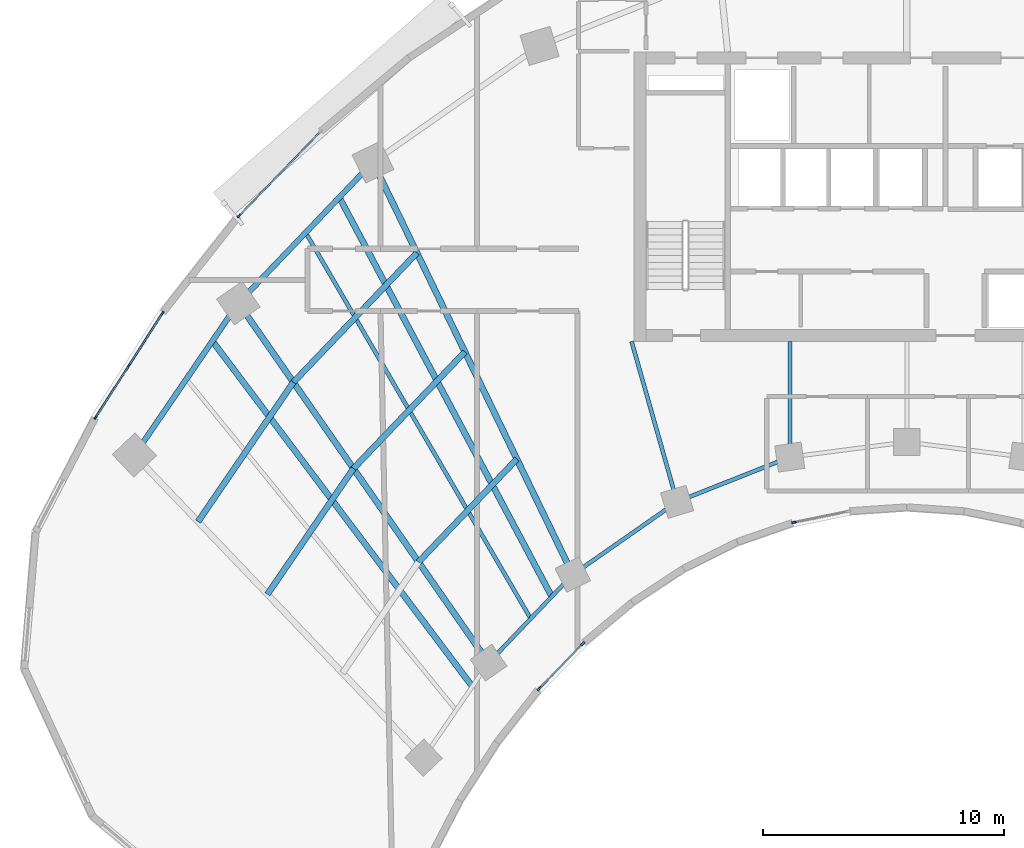
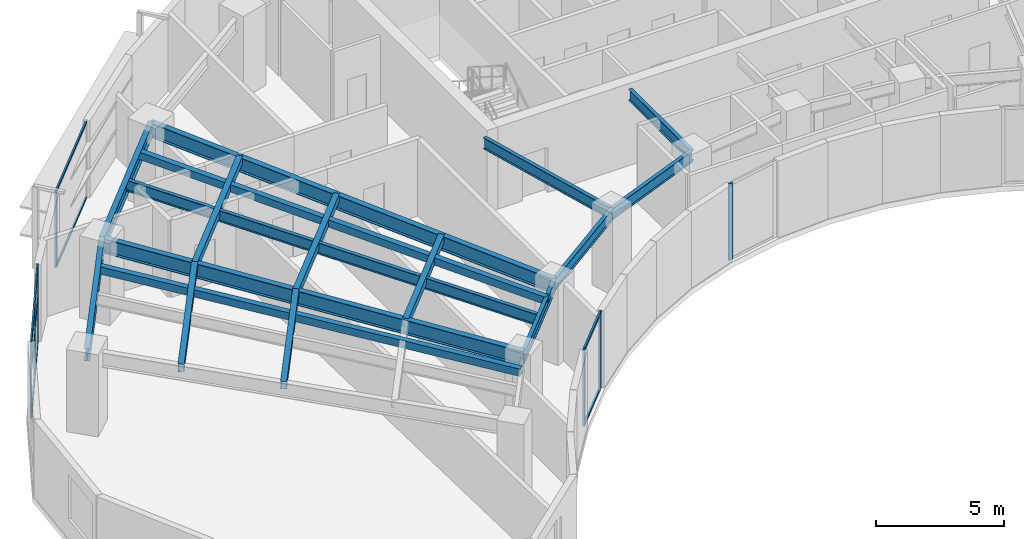
# One storey, part 2 of 14: 17 beams, 17 members, 4 elements without a shape of their own.
"""IFC4 building model written with IfcOpenShell, lengths in metres."""

from ifc_helpers import new_model, si_unit, direction, frame, origin, origin_2d, place, context, subcontext, project, spatial, rectangle, hollow_rectangle, i_section, extrude, source, transform, mapped, material, layer, layer_set, material_profile, profile_set, type_object, type_shapes, element, aggregate, save


model = new_model("IFC4")

# Units and contexts
model_context = context("Model", 3, precision=1e-05, world=origin(), true_north=direction((0.0, 1.0)))
body_context = subcontext(model_context, "Body", "Model", "MODEL_VIEW")
ifc_project = project(units=[si_unit("LENGTHUNIT", "METRE"), si_unit("AREAUNIT", "SQUARE_METRE"), si_unit("VOLUMEUNIT", "CUBIC_METRE"), si_unit("PLANEANGLEUNIT", "RADIAN"), si_unit("MASSUNIT", "GRAM", prefix="KILO")], contexts=[model_context])

# Site, building, storey
site_placement = place(None, origin())
site = spatial("IfcSite", under=ifc_project, at=site_placement, CompositionType="ELEMENT")
building_placement = place(site_placement, origin())
building = spatial("IfcBuilding", under=site, at=building_placement, Name="Breltana Convention Tower", CompositionType="ELEMENT")
storey_placement = place(building_placement, frame((0.0, 0.0, 138.89990234375)))
storey = spatial("IfcBuildingStorey", under=building, at=storey_placement, Name="L33", CompositionType="ELEMENT", Elevation=138.89990234375)

# Beams
ifc_material_1 = material(Name="Steel ASTM A992 Grade 50", Category="steel")
ifc_material_profile_1 = material_profile(ifc_material_1, i_section(OverallWidth=0.25390625, OverallDepth=0.68798828125, WebThickness=0.01318359375, FlangeThickness=0.02099609375, at=origin_2d()), Name="W27X102")
ifc_profile_set_1 = profile_set([ifc_material_profile_1], Name="Steel ASTM A992 Grade 50")
beam_type_1 = type_object("IfcBeamType", Name="BM-RG-W27X102", PredefinedType="USERDEFINED", material=ifc_profile_set_1)
shared_shape_1 = source(origin(), body_context, "Body", "SweptSolid", [
    extrude(i_section(OverallWidth=0.25390625, OverallDepth=0.68798828125, WebThickness=0.01318359375, FlangeThickness=0.02099609375, at=origin_2d()), origin(), (0.0, 0.0, 1.0), 18.1484375),
])
beam_1_placement = place(storey_placement, frame((30.67724609375, 46.892333984375, 3.30615234375), z_axis=(-0.571207556098, 0.820805657788, 0.0), x_axis=(-0.820805657788, -0.571207556098, 0.0)))
element("IfcBeam", 1, at=beam_1_placement, inside=storey, type_object=beam_type_1, Name="L33 Radial Floor Girder R02", ObjectType="GIRDER", PredefinedType="USERDEFINED", context=body_context, shape_type="MappedRepresentation", body=[
    mapped(shared_shape_1, transform((0.0, 0.0, 0.0), scale=1.0)),
])
shared_shape_2 = source(origin(), body_context, "Body", "SweptSolid", [
    extrude(i_section(OverallWidth=0.25390625, OverallDepth=0.68798828125, WebThickness=0.01318359375, FlangeThickness=0.02099609375, at=origin_2d()), origin(), (0.0, 0.0, 1.0), 18.982421875),
])
beam_2_placement = place(storey_placement, frame((34.166259765625, 50.544921875, 3.30615234375), z_axis=(-0.436118560343, 0.89988921614, 0.0), x_axis=(-0.89988921614, -0.436118560343, 0.0)))
element("IfcBeam", 2, at=beam_2_placement, inside=storey, type_object=beam_type_1, Name="L33 Radial Floor Girder R03", ObjectType="GIRDER", PredefinedType="USERDEFINED", context=body_context, shape_type="MappedRepresentation", body=[
    mapped(shared_shape_2, transform((0.0, 0.0, 0.0), scale=1.0)),
])
ifc_material_profile_2 = material_profile(ifc_material_1, i_section(OverallWidth=0.166015625, OverallDepth=0.534912109375, WebThickness=0.01025390625, FlangeThickness=0.0166015625, at=origin_2d()), Name="W21X57")
ifc_profile_set_2 = profile_set([ifc_material_profile_2], Name="Steel ASTM A992 Grade 50")
beam_type_2 = type_object("IfcBeamType", Name="BM-BM-W21X57", PredefinedType="BEAM", material=ifc_profile_set_2)
shared_shape_3 = source(origin(), body_context, "Body", "SweptSolid", [
    extrude(i_section(OverallWidth=0.166015625, OverallDepth=0.534912109375, WebThickness=0.01025390625, FlangeThickness=0.0166015625, at=origin_2d()), origin(), (0.0, 0.0, 1.0), 6.904541015625),
])
type_shapes(beam_type_2, [shared_shape_3])
beam_3_placement = place(storey_placement, frame((36.60009765625, 60.199951171875, 3.382568359375), z_axis=(0.273006781054, -0.962012108811, 0.0), x_axis=(0.962012108811, 0.273006781054, 0.0)))
element("IfcBeam", 3, at=beam_3_placement, inside=storey, type_object=beam_type_2, Name="L33 South Core Tie Girder R04", PredefinedType="BEAM", context=body_context, shape_type="MappedRepresentation", body=[
    mapped(shared_shape_3, transform((0.0, 0.0, 0.0), scale=1.0)),
])
shared_shape_4 = source(origin(), body_context, "Body", "SweptSolid", [
    extrude(i_section(OverallWidth=0.166015625, OverallDepth=0.534912109375, WebThickness=0.01025390625, FlangeThickness=0.0166015625, at=origin_2d()), origin(), (0.0, 0.0, 1.0), 4.789306640625),
])
beam_4_placement = place(storey_placement, frame((43.153564453125, 60.199951171875, 3.382568359375), z_axis=(0.0, -1.0, 0.0), x_axis=(1.0, 0.0, 0.0)))
element("IfcBeam", 4, at=beam_4_placement, inside=storey, type_object=beam_type_2, Name="L33 South Core Tie Girder R05", PredefinedType="BEAM", context=body_context, shape_type="MappedRepresentation", body=[
    mapped(shared_shape_4, transform((0.0, 0.0, 0.0), scale=1.0)),
])
ifc_material_profile_3 = material_profile(ifc_material_1, i_section(OverallWidth=0.22802734375, OverallDepth=0.60791015625, WebThickness=0.01123046875, FlangeThickness=0.017333984375, at=origin_2d()), Name="W24X76")
ifc_profile_set_3 = profile_set([ifc_material_profile_3], Name="Steel ASTM A992 Grade 50")
beam_type_3 = type_object("IfcBeamType", Name="BM-SP-W24X76", PredefinedType="SPANDREL", material=ifc_profile_set_3)
shared_shape_5 = source(origin(), body_context, "Body", "SweptSolid", [
    extrude(i_section(OverallWidth=0.22802734375, OverallDepth=0.60791015625, WebThickness=0.01123046875, FlangeThickness=0.017333984375, at=origin_2d()), origin(), (0.0, 0.0, 1.0), 7.625),
])
type_shapes(beam_type_3, [shared_shape_5])
beam_5_placement = place(storey_placement, frame((16.0068359375, 55.494384765625, 3.34619140625), z_axis=(0.564452031902, 0.825465870694, 0.0), x_axis=(-0.825465870694, 0.564452031902, 0.0)))
element("IfcBeam", 5, at=beam_5_placement, inside=storey, type_object=beam_type_3, Name="L33 Outer Spandrel Beam 01", PredefinedType="SPANDREL", context=body_context, shape_type="MappedRepresentation", body=[
    mapped(shared_shape_5, transform((0.0, 0.0, 0.0), scale=1.0)),
])
shared_shape_6 = source(origin(), body_context, "Body", "SweptSolid", [
    extrude(i_section(OverallWidth=0.166015625, OverallDepth=0.534912109375, WebThickness=0.01025390625, FlangeThickness=0.0166015625, at=origin_2d()), origin(), (0.0, 0.0, 1.0), 5.05126953125),
])
beam_6_placement = place(storey_placement, frame((30.67724609375, 46.892333984375, 3.382568359375), z_axis=(0.690729753845, 0.7231129975, 0.0), x_axis=(-0.7231129975, 0.690729753845, 0.0)))
element("IfcBeam", 6, at=beam_6_placement, inside=storey, type_object=beam_type_2, Name="L33 Inner Ring Beam 02", PredefinedType="BEAM", context=body_context, shape_type="MappedRepresentation", body=[
    mapped(shared_shape_6, transform((0.0, 0.0, 0.0), scale=1.0)),
])
shared_shape_7 = source(origin(), body_context, "Body", "SweptSolid", [
    extrude(i_section(OverallWidth=0.22802734375, OverallDepth=0.60791015625, WebThickness=0.01123046875, FlangeThickness=0.017333984375, at=origin_2d()), origin(), (0.0, 0.0, 1.0), 8.073974609375),
])
beam_7_placement = place(storey_placement, frame((20.310791015625, 61.78857421875, 3.34619140625), z_axis=(0.69072885448, 0.723113856588, 0.0), x_axis=(-0.723113856588, 0.69072885448, 0.0)))
element("IfcBeam", 7, at=beam_7_placement, inside=storey, type_object=beam_type_3, Name="L33 Outer Spandrel Beam 02", PredefinedType="SPANDREL", context=body_context, shape_type="MappedRepresentation", body=[
    mapped(shared_shape_7, transform((0.0, 0.0, 0.0), scale=1.0)),
])
shared_shape_8 = source(origin(), body_context, "Body", "SweptSolid", [
    extrude(i_section(OverallWidth=0.166015625, OverallDepth=0.534912109375, WebThickness=0.01025390625, FlangeThickness=0.0166015625, at=origin_2d()), origin(), (0.0, 0.0, 1.0), 5.265869140625),
])
beam_8_placement = place(storey_placement, frame((34.166259765625, 50.544921875, 3.382568359375), z_axis=(0.820167429517, 0.572123577176, 0.0), x_axis=(-0.572123577176, 0.820167429517, 0.0)))
element("IfcBeam", 8, at=beam_8_placement, inside=storey, type_object=beam_type_2, Name="L33 Inner Ring Beam 03", PredefinedType="BEAM", context=body_context, shape_type="MappedRepresentation", body=[
    mapped(shared_shape_8, transform((0.0, 0.0, 0.0), scale=1.0)),
])
shared_shape_9 = source(origin(), body_context, "Body", "SweptSolid", [
    extrude(i_section(OverallWidth=0.166015625, OverallDepth=0.534912109375, WebThickness=0.01025390625, FlangeThickness=0.0166015625, at=origin_2d()), origin(), (0.0, 0.0, 1.0), 5.022705078125),
])
beam_9_placement = place(storey_placement, frame((38.485107421875, 53.5576171875, 3.382568359375), z_axis=(0.929458966248, 0.368925507469, 0.0), x_axis=(-0.368925507469, 0.929458966248, 0.0)))
element("IfcBeam", 9, at=beam_9_placement, inside=storey, type_object=beam_type_2, Name="L33 Inner Ring Beam 04", PredefinedType="BEAM", context=body_context, shape_type="MappedRepresentation", body=[
    mapped(shared_shape_9, transform((0.0, 0.0, 0.0), scale=1.0)),
])
ifc_material_profile_4 = material_profile(ifc_material_1, hollow_rectangle(XDim=0.25, YDim=0.35009765625, WallThickness=0.011962890625, at=origin_2d()), Name="RHS350X250X12")
ifc_profile_set_4 = profile_set([ifc_material_profile_4], Name="Steel ASTM A992 Grade 50")
beam_type_4 = type_object("IfcBeamType", Name="BM-JSG-12", PredefinedType="JOIST", material=ifc_profile_set_4)
shared_shape_10 = source(origin(), body_context, "Body", "SweptSolid", [
    extrude(hollow_rectangle(XDim=0.25, YDim=0.35009765625, WallThickness=0.011962890625, at=origin_2d()), origin(), (0.0, 0.0, 1.0), 6.311767578125),
])
beam_10_placement = place(storey_placement, frame((21.5166015625, 49.72607421875, 3.47509765625), z_axis=(0.564453712577, 0.825464721449, 0.0), x_axis=(-0.825464721449, 0.564453712577, 0.0)))
element("IfcBeam", 10, at=beam_10_placement, inside=storey, type_object=beam_type_4, Name="L33 Composite Floor Joist 01.2", PredefinedType="JOIST", context=body_context, shape_type="MappedRepresentation", body=[
    mapped(shared_shape_10, transform((0.0, 0.0, 0.0), scale=1.0)),
])
shared_shape_11 = source(origin(), body_context, "Body", "SweptSolid", [
    extrude(hollow_rectangle(XDim=0.25, YDim=0.35009765625, WallThickness=0.011962890625, at=origin_2d()), origin(), (0.0, 0.0, 1.0), 6.997314453125),
])
beam_11_placement = place(storey_placement, frame((18.641845703125, 52.735595703125, 3.47509765625), z_axis=(0.564468756361, 0.825454434292, 0.0), x_axis=(-0.825454434292, 0.564468756361, 0.0)))
element("IfcBeam", 11, at=beam_11_placement, inside=storey, type_object=beam_type_4, Name="L33 Composite Floor Joist 01.3", PredefinedType="JOIST", context=body_context, shape_type="MappedRepresentation", body=[
    mapped(shared_shape_11, transform((0.0, 0.0, 0.0), scale=1.0)),
])
shared_shape_12 = source(origin(), body_context, "Body", "SweptSolid", [
    extrude(hollow_rectangle(XDim=0.25, YDim=0.35009765625, WallThickness=0.011962890625, at=origin_2d()), origin(), (0.0, 0.0, 1.0), 17.9072265625),
])
beam_12_placement = place(storey_placement, frame((30.00390625, 45.907958984375, 3.47509765625), z_axis=(-0.601382105028, 0.798961553363, 0.0), x_axis=(-0.798961553363, -0.601382105028, 0.0)))
element("IfcBeam", 12, at=beam_12_placement, inside=storey, type_object=beam_type_4, Name="L33 Quarter-Bay Radial Trimmer 01", PredefinedType="JOIST", context=body_context, shape_type="MappedRepresentation", body=[
    mapped(shared_shape_12, transform((0.0, 0.0, 0.0), scale=1.0)),
])
shared_shape_13 = source(origin(), body_context, "Body", "SweptSolid", [
    extrude(hollow_rectangle(XDim=0.25, YDim=0.35009765625, WallThickness=0.011962890625, at=origin_2d()), origin(), (0.0, 0.0, 1.0), 5.8974609375),
])
beam_13_placement = place(storey_placement, frame((27.774658203125, 51.063232421875, 3.47509765625), z_axis=(0.690713978666, 0.723128065888, 0.0), x_axis=(-0.723128065888, 0.690713978666, 0.0)))
element("IfcBeam", 13, at=beam_13_placement, inside=storey, type_object=beam_type_4, Name="L33 Composite Floor Joist 02.1", PredefinedType="JOIST", context=body_context, shape_type="MappedRepresentation", body=[
    mapped(shared_shape_13, transform((0.0, 0.0, 0.0), scale=1.0)),
])
shared_shape_14 = source(origin(), body_context, "Body", "SweptSolid", [
    extrude(hollow_rectangle(XDim=0.25, YDim=0.35009765625, WallThickness=0.011962890625, at=origin_2d()), origin(), (0.0, 0.0, 1.0), 6.68359375),
])
beam_14_placement = place(storey_placement, frame((25.079345703125, 54.936279296875, 3.47509765625), z_axis=(0.690720705885, 0.723121640156, 0.0), x_axis=(-0.723121640156, 0.690720705885, 0.0)))
element("IfcBeam", 14, at=beam_14_placement, inside=storey, type_object=beam_type_4, Name="L33 Composite Floor Joist 02.2", PredefinedType="JOIST", context=body_context, shape_type="MappedRepresentation", body=[
    mapped(shared_shape_14, transform((0.0, 0.0, 0.0), scale=1.0)),
])
shared_shape_15 = source(origin(), body_context, "Body", "SweptSolid", [
    extrude(hollow_rectangle(XDim=0.25, YDim=0.35009765625, WallThickness=0.011962890625, at=origin_2d()), origin(), (0.0, 0.0, 1.0), 7.40869140625),
])
beam_15_placement = place(storey_placement, frame((22.591552734375, 58.511474609375, 3.47509765625), z_axis=(0.690724936208, 0.723117599358, 0.0), x_axis=(-0.723117599358, 0.690724936208, 0.0)))
element("IfcBeam", 15, at=beam_15_placement, inside=storey, type_object=beam_type_4, Name="L33 Composite Floor Joist 02.3", PredefinedType="JOIST", context=body_context, shape_type="MappedRepresentation", body=[
    mapped(shared_shape_15, transform((0.0, 0.0, 0.0), scale=1.0)),
])
ifc_material_profile_5 = material_profile(ifc_material_1, i_section(OverallWidth=0.166015625, OverallDepth=0.534912109375, WebThickness=0.01025390625, FlangeThickness=0.0166015625, at=origin_2d()), Name="W21X57")
ifc_profile_set_5 = profile_set([ifc_material_profile_5], Name="Steel ASTM A992 Grade 50")
beam_type_5 = type_object("IfcBeamType", Name="BM-JSG-05", PredefinedType="JOIST", material=ifc_profile_set_5)
shared_shape_16 = source(origin(), body_context, "Body", "SweptSolid", [
    extrude(i_section(OverallWidth=0.166015625, OverallDepth=0.534912109375, WebThickness=0.01025390625, FlangeThickness=0.0166015625, at=origin_2d()), origin(), (0.0, 0.0, 1.0), 18.50830078125),
])
beam_16_placement = place(storey_placement, frame((32.421630859375, 48.71875, 3.382568359375), z_axis=(-0.50368319637, 0.863888440537, 0.0), x_axis=(-0.863888440537, -0.50368319637, 0.0)))
element("IfcBeam", 16, at=beam_16_placement, inside=storey, type_object=beam_type_5, Name="L33 Mid-Bay Radial Trimmer 02", PredefinedType="JOIST", context=body_context, shape_type="MappedRepresentation", body=[
    mapped(shared_shape_16, transform((0.0, 0.0, 0.0), scale=1.0)),
])
shared_shape_17 = source(origin(), body_context, "Body", "SweptSolid", [
    extrude(hollow_rectangle(XDim=0.25, YDim=0.35009765625, WallThickness=0.011962890625, at=origin_2d()), origin(), (0.0, 0.0, 1.0), 18.731689453125),
])
beam_17_placement = place(storey_placement, frame((33.2939453125, 49.6318359375, 3.47509765625), z_axis=(-0.469820250451, 0.882762104004, 0.0), x_axis=(-0.882762104004, -0.469820250451, 0.0)))
element("IfcBeam", 17, at=beam_17_placement, inside=storey, type_object=beam_type_4, Name="L33 Quarter-Bay Radial Trimmer 02", PredefinedType="JOIST", context=body_context, shape_type="MappedRepresentation", body=[
    mapped(shared_shape_17, transform((0.0, 0.0, 0.0), scale=1.0)),
])

# Curtain wall, members
ifc_material_2 = material(Name="Aluminium Anodised Bronze Frame", Category="aluminium")
ifc_layer_1 = layer(ifc_material_2, 0.18994140625, Name="Aluminium Anodised Bronze Frame")
ifc_layer_set_1 = layer_set([ifc_layer_1], Name="Aluminium Anodised Bronze Frame")
curtain_wall_type_1 = type_object("IfcCurtainWallType", Name="CW-SYS-1", PredefinedType="NOTDEFINED", material=ifc_layer_set_1)
curtain_wall_1_placement = place(storey_placement, origin())
curtain_wall_1 = element("IfcCurtainWall", 18, at=curtain_wall_1_placement, inside=storey, type_object=curtain_wall_type_1, Name="L33 inner south-court glazing 5", PredefinedType="NOTDEFINED")
ifc_material_3 = material(Name="Aluminium Anodised Bronze", Category="aluminium")
ifc_material_profile_6 = material_profile(ifc_material_3, rectangle(XDim=0.080078125, YDim=0.139892578125, at=origin_2d()), Name="CWT-80X140")
ifc_profile_set_6 = profile_set([ifc_material_profile_6], Name="Aluminium Anodised Bronze")
member_type_1 = type_object("IfcMemberType", Name="CWT-140", PredefinedType="USERDEFINED", material=ifc_profile_set_6)
shared_shape_18 = source(origin(), body_context, "Body", "SweptSolid", [
    extrude(rectangle(XDim=0.080078125, YDim=0.139892578125, at=origin_2d()), origin(), (0.0, 0.0, 1.0), 2.519775390625),
])
member_1_placement = place(storey_placement, frame((34.5458984375, 47.650390625, 0.0400390625), z_axis=(-0.694596242791, -0.719399791146, 0.0), x_axis=(0.719399791146, -0.694596242791, 0.0)))
member_1 = element("IfcMember", 19, at=member_1_placement, type_object=member_type_1, Name="CW-01 transom 1.1", ObjectType="TRANSOM", PredefinedType="USERDEFINED", context=body_context, shape_type="MappedRepresentation", body=[
    mapped(shared_shape_18, transform((0.0, 0.0, 0.0), scale=1.0)),
])
member_2_placement = place(storey_placement, frame((34.5458984375, 47.650390625, 3.610107421875), z_axis=(-0.694596242791, -0.719399791146, 0.0), x_axis=(0.719399791146, -0.694596242791, 0.0)))
member_2 = element("IfcMember", 20, at=member_2_placement, type_object=member_type_1, Name="CW-01 transom 1.2", ObjectType="TRANSOM", PredefinedType="USERDEFINED", context=body_context, shape_type="MappedRepresentation", body=[
    mapped(shared_shape_18, transform((0.0, 0.0, 0.0), scale=1.0)),
])

ifc_layer_2 = layer(ifc_material_2, 0.22998046875, Name="Aluminium Anodised Bronze Frame")
ifc_layer_set_2 = layer_set([ifc_layer_2], Name="Aluminium Anodised Bronze Frame")
curtain_wall_type_2 = type_object("IfcCurtainWallType", Name="CW-SYS-5", PredefinedType="NOTDEFINED", material=ifc_layer_set_2)
curtain_wall_2_placement = place(storey_placement, origin())
curtain_wall_2 = element("IfcCurtainWall", 21, at=curtain_wall_2_placement, inside=storey, type_object=curtain_wall_type_2, Name="L33 outer double-skin inner glazing 1", PredefinedType="NOTDEFINED")
ifc_material_profile_7 = material_profile(ifc_material_3, rectangle(XDim=0.070068359375, YDim=0.1201171875, at=origin_2d()), Name="CWT-70X120")
ifc_profile_set_7 = profile_set([ifc_material_profile_7], Name="Aluminium Anodised Bronze")
member_type_2 = type_object("IfcMemberType", Name="CWT-120", PredefinedType="USERDEFINED", material=ifc_profile_set_7)
shared_shape_19 = source(origin(), body_context, "Body", "SweptSolid", [
    extrude(rectangle(XDim=0.070068359375, YDim=0.1201171875, at=origin_2d()), origin(), (0.0, 0.0, 1.0), 2.49755859375),
])
member_3_placement = place(storey_placement, frame((14.41455078125, 57.078857421875, 0.03515625), z_axis=(0.540179419124, 0.841549876808, 0.0), x_axis=(-0.841549876808, 0.540179419124, 0.0)))
member_3 = element("IfcMember", 22, at=member_3_placement, type_object=member_type_2, Name="CW-05 transom 1.1", ObjectType="TRANSOM", PredefinedType="USERDEFINED", context=body_context, shape_type="MappedRepresentation", body=[
    mapped(shared_shape_19, transform((0.0, 0.0, 0.0), scale=1.0)),
])
member_4_placement = place(storey_placement, frame((14.41455078125, 57.078857421875, 2.37255859375), z_axis=(0.540179419124, 0.841549876808, 0.0), x_axis=(-0.841549876808, 0.540179419124, 0.0)))
member_4 = element("IfcMember", 23, at=member_4_placement, type_object=member_type_2, Name="CW-05 transom 1.2", ObjectType="TRANSOM", PredefinedType="USERDEFINED", context=body_context, shape_type="MappedRepresentation", body=[
    mapped(shared_shape_19, transform((0.0, 0.0, 0.0), scale=1.0)),
])
member_5_placement = place(storey_placement, frame((14.41455078125, 57.078857421875, 3.614990234375), z_axis=(0.540179419124, 0.841549876808, 0.0), x_axis=(-0.841549876808, 0.540179419124, 0.0)))
member_5 = element("IfcMember", 24, at=member_5_placement, type_object=member_type_2, Name="CW-05 transom 1.3", ObjectType="TRANSOM", PredefinedType="USERDEFINED", context=body_context, shape_type="MappedRepresentation", body=[
    mapped(shared_shape_19, transform((0.0, 0.0, 0.0), scale=1.0)),
])
member_6_placement = place(storey_placement, frame((15.801513671875, 59.23974609375, 0.03515625), z_axis=(0.540179419124, 0.841549876808, 0.0), x_axis=(-0.841549876808, 0.540179419124, 0.0)))
member_6 = element("IfcMember", 25, at=member_6_placement, type_object=member_type_2, Name="CW-05 transom 2.1", ObjectType="TRANSOM", PredefinedType="USERDEFINED", context=body_context, shape_type="MappedRepresentation", body=[
    mapped(shared_shape_19, transform((0.0, 0.0, 0.0), scale=1.0)),
])
member_7_placement = place(storey_placement, frame((15.801513671875, 59.23974609375, 2.37255859375), z_axis=(0.540179419124, 0.841549876808, 0.0), x_axis=(-0.841549876808, 0.540179419124, 0.0)))
member_7 = element("IfcMember", 26, at=member_7_placement, type_object=member_type_2, Name="CW-05 transom 2.2", ObjectType="TRANSOM", PredefinedType="USERDEFINED", context=body_context, shape_type="MappedRepresentation", body=[
    mapped(shared_shape_19, transform((0.0, 0.0, 0.0), scale=1.0)),
])
member_8_placement = place(storey_placement, frame((15.801513671875, 59.23974609375, 3.614990234375), z_axis=(0.540179419124, 0.841549876808, 0.0), x_axis=(-0.841549876808, 0.540179419124, 0.0)))
member_8 = element("IfcMember", 27, at=member_8_placement, type_object=member_type_2, Name="CW-05 transom 2.3", ObjectType="TRANSOM", PredefinedType="USERDEFINED", context=body_context, shape_type="MappedRepresentation", body=[
    mapped(shared_shape_19, transform((0.0, 0.0, 0.0), scale=1.0)),
])

curtain_wall_3_placement = place(storey_placement, origin())
curtain_wall_3 = element("IfcCurtainWall", 28, at=curtain_wall_3_placement, inside=storey, type_object=curtain_wall_type_2, Name="L33 outer double-skin inner glazing 2", PredefinedType="NOTDEFINED")
shared_shape_20 = source(origin(), body_context, "Body", "SweptSolid", [
    extrude(rectangle(XDim=0.070068359375, YDim=0.1201171875, at=origin_2d()), origin(), (0.0, 0.0, 1.0), 4.7685546875),
])
member_9_placement = place(storey_placement, frame((20.36376953125, 65.4267578125, 0.03515625), z_axis=(0.694608218982, 0.719388227679, 0.0), x_axis=(-0.719388227679, 0.694608218982, 0.0)))
member_9 = element("IfcMember", 29, at=member_9_placement, type_object=member_type_2, Name="CW-05 transom 1.1", ObjectType="TRANSOM", PredefinedType="USERDEFINED", context=body_context, shape_type="MappedRepresentation", body=[
    mapped(shared_shape_20, transform((0.0, 0.0, 0.0), scale=1.0)),
])
member_10_placement = place(storey_placement, frame((20.36376953125, 65.4267578125, 3.614990234375), z_axis=(0.694608218982, 0.719388227679, 0.0), x_axis=(-0.719388227679, 0.694608218982, 0.0)))
member_10 = element("IfcMember", 30, at=member_10_placement, type_object=member_type_2, Name="CW-05 transom 1.2", ObjectType="TRANSOM", PredefinedType="USERDEFINED", context=body_context, shape_type="MappedRepresentation", body=[
    mapped(shared_shape_20, transform((0.0, 0.0, 0.0), scale=1.0)),
])

# Curtain wall, member
curtain_wall_4_placement = place(storey_placement, origin())
curtain_wall_4 = element("IfcCurtainWall", 31, at=curtain_wall_4_placement, inside=storey, type_object=curtain_wall_type_1, Name="L33 inner south-court glazing 4", PredefinedType="NOTDEFINED")
ifc_material_profile_8 = material_profile(ifc_material_3, rectangle(XDim=0.080078125, YDim=0.199951171875, at=origin_2d()), Name="CWM-80X200")
ifc_profile_set_8 = profile_set([ifc_material_profile_8], Name="Aluminium Anodised Bronze")
member_type_3 = type_object("IfcMemberType", Name="CWM-200", PredefinedType="MULLION", material=ifc_profile_set_8)
shared_shape_21 = source(origin(), body_context, "Body", "SweptSolid", [
    extrude(rectangle(XDim=0.080078125, YDim=0.199951171875, at=origin_2d()), origin(), (0.0, 0.0, 1.0), 3.650146484375),
])
member_11_placement = place(storey_placement, frame((43.327880859375, 52.703125, 0.0), z_axis=(0.0, 0.0, 1.0), x_axis=(0.200852929183, -0.979621406891, 0.0)))
member_11 = element("IfcMember", 32, at=member_11_placement, type_object=member_type_3, Name="CW-01 mullion 2", PredefinedType="MULLION", context=body_context, shape_type="MappedRepresentation", body=[
    mapped(shared_shape_21, transform((0.0, 0.0, 0.0), scale=1.0)),
])
aggregate(curtain_wall_4, [member_11])

# Member
member_12_placement = place(storey_placement, frame((34.57373046875, 47.67919921875, 0.0), z_axis=(0.0, 0.0, 1.0), x_axis=(0.719387314642, -0.694609164589, 0.0)))
member_12 = element("IfcMember", 33, at=member_12_placement, type_object=member_type_3, Name="CW-01 mullion 1", PredefinedType="MULLION", context=body_context, shape_type="MappedRepresentation", body=[
    mapped(shared_shape_21, transform((0.0, 0.0, 0.0), scale=1.0)),
])

member_13_placement = place(storey_placement, frame((32.767822265625, 45.808837890625, 0.0), z_axis=(0.0, 0.0, 1.0), x_axis=(0.719387314642, -0.694609164589, 0.0)))
member_13 = element("IfcMember", 34, at=member_13_placement, type_object=member_type_3, Name="CW-01 mullion 2", PredefinedType="MULLION", context=body_context, shape_type="MappedRepresentation", body=[
    mapped(shared_shape_21, transform((0.0, 0.0, 0.0), scale=1.0)),
])

aggregate(curtain_wall_1, [member_12, member_13, member_1, member_2])

ifc_material_profile_9 = material_profile(ifc_material_3, rectangle(XDim=0.070068359375, YDim=0.175048828125, at=origin_2d()), Name="CWM-70X175")
ifc_profile_set_9 = profile_set([ifc_material_profile_9], Name="Aluminium Anodised Bronze")
member_type_4 = type_object("IfcMemberType", Name="CWM-175", PredefinedType="MULLION", material=ifc_profile_set_9)
shared_shape_22 = source(origin(), body_context, "Body", "SweptSolid", [
    extrude(rectangle(XDim=0.070068359375, YDim=0.175048828125, at=origin_2d()), origin(), (0.0, 0.0, 1.0), 3.650146484375),
])
member_14_placement = place(storey_placement, frame((14.395751953125, 57.049560546875, 0.0), z_axis=(0.0, 0.0, 1.0), x_axis=(-0.84155155167, 0.540176809834, 0.0)))
member_14 = element("IfcMember", 35, at=member_14_placement, type_object=member_type_4, Name="CW-05 mullion 1", PredefinedType="MULLION", context=body_context, shape_type="MappedRepresentation", body=[
    mapped(shared_shape_22, transform((0.0, 0.0, 0.0), scale=1.0)),
])

member_15_placement = place(storey_placement, frame((15.78271484375, 59.210205078125, 0.0), z_axis=(0.0, 0.0, 1.0), x_axis=(-0.84155155167, 0.540176809834, 0.0)))
member_15 = element("IfcMember", 36, at=member_15_placement, type_object=member_type_4, Name="CW-05 mullion 2", PredefinedType="MULLION", context=body_context, shape_type="MappedRepresentation", body=[
    mapped(shared_shape_22, transform((0.0, 0.0, 0.0), scale=1.0)),
])

member_16_placement = place(storey_placement, frame((17.169677734375, 61.370849609375, 0.0), z_axis=(0.0, 0.0, 1.0), x_axis=(-0.84155155167, 0.540176809834, 0.0)))
member_16 = element("IfcMember", 37, at=member_16_placement, type_object=member_type_4, Name="CW-05 mullion 3", PredefinedType="MULLION", context=body_context, shape_type="MappedRepresentation", body=[
    mapped(shared_shape_22, transform((0.0, 0.0, 0.0), scale=1.0)),
])

aggregate(curtain_wall_2, [member_14, member_15, member_16, member_3, member_4, member_5, member_6, member_7, member_8])

member_17_placement = place(storey_placement, frame((20.339599609375, 65.401611328125, 0.0), z_axis=(0.0, 0.0, 1.0), x_axis=(-0.719384961558, 0.694611601605, 0.0)))
member_17 = element("IfcMember", 38, at=member_17_placement, type_object=member_type_4, Name="CW-05 mullion 1", PredefinedType="MULLION", context=body_context, shape_type="MappedRepresentation", body=[
    mapped(shared_shape_22, transform((0.0, 0.0, 0.0), scale=1.0)),
])

aggregate(curtain_wall_3, [member_17, member_9, member_10])

save(model, "model.ifc")
